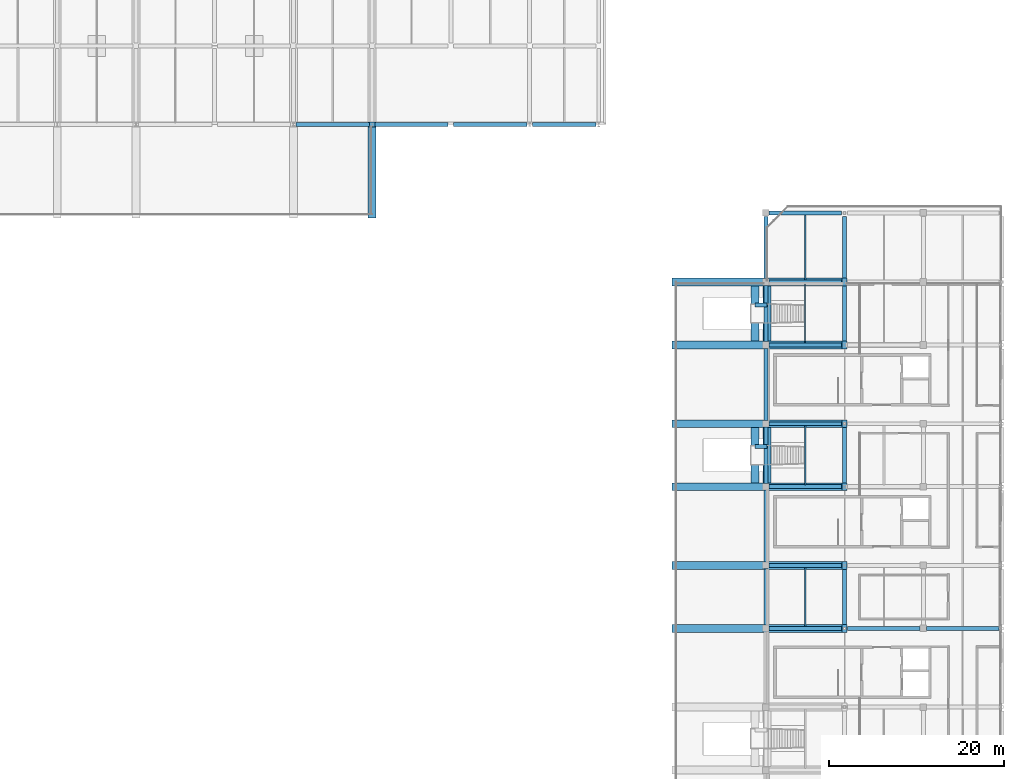
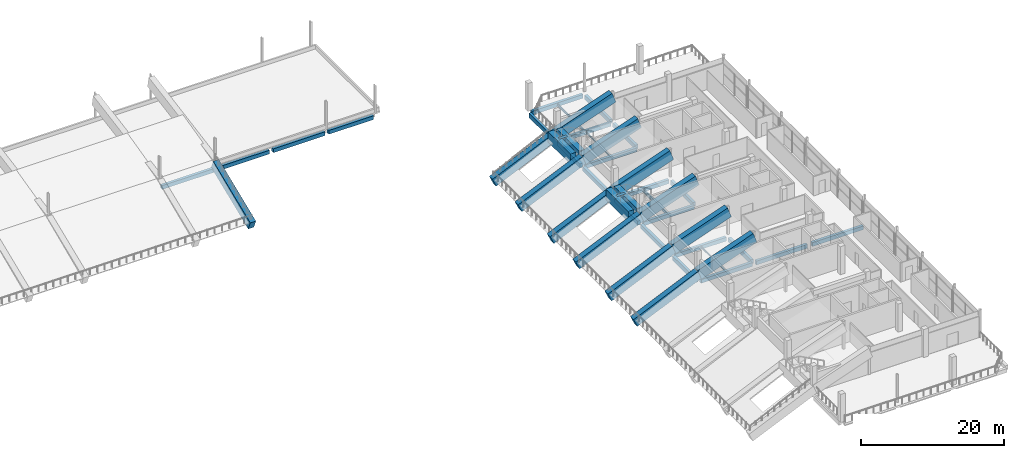
# One storey, part 36 of 66: 46 beams.
"""IFC4 building model written with IfcOpenShell, lengths in metres."""

from ifc_helpers import new_model, si_unit, direction, frame, origin, origin_2d, place, context, subcontext, project, spatial, rectangle, i_section, extrude, material, material_profile, profile_set, type_object, element, save


model = new_model("IFC4")

# Units and contexts
model_context = context("Model", 3, precision=1e-05, world=origin(), true_north=direction((0.0, 1.0)))
body_context = subcontext(model_context, "Body", "Model", "MODEL_VIEW")
ifc_project = project(units=[si_unit("LENGTHUNIT", "METRE"), si_unit("AREAUNIT", "SQUARE_METRE"), si_unit("VOLUMEUNIT", "CUBIC_METRE"), si_unit("PLANEANGLEUNIT", "RADIAN"), si_unit("MASSUNIT", "GRAM", prefix="KILO"), si_unit("THERMODYNAMICTEMPERATUREUNIT", "KELVIN"), si_unit("POWERUNIT", "WATT")], contexts=[model_context])

# Site, building, storey
site_placement = place(None, origin())
site = spatial("IfcSite", under=ifc_project, at=site_placement, CompositionType="ELEMENT")
building_placement = place(site_placement, origin())
building = spatial("IfcBuilding", under=site, at=building_placement, Name="Sindhuravela Promenade Stadium", CompositionType="ELEMENT")
storey_placement = place(building_placement, frame((0.0, 0.0, 19.199951171875)))
storey = spatial("IfcBuildingStorey", under=building, at=storey_placement, Name="L04", CompositionType="ELEMENT", Elevation=19.199951171875)

# Beams
ifc_material_1 = material(Name="Concrete M40", Category="concrete")
ifc_material_profile_1 = material_profile(ifc_material_1, rectangle(XDim=0.449951171875, YDim=0.64990234375, at=origin_2d()), Name="RC 450x650")
ifc_profile_set_1 = profile_set([ifc_material_profile_1], Name="Concrete M40")
beam_type_1 = type_object("IfcBeamType", Name="RC-BM-450x650", PredefinedType="T_BEAM", material=ifc_profile_set_1)
for number, where, z_axis, x_axis, name in (
    (1, (180.389892578125, 77.39990234375, -0.64501953125), (1.0, 0.0, 0.0), (0.0, 1.0, 0.0), "Primary girder GB08 EAST L04"),
    (2, (189.340087890625, 77.39990234375, -0.64501953125), (1.0, 0.0, 0.0), (0.0, 1.0, 0.0), "Primary girder GB08 EAST L04"),
    (3, (198.389892578125, 77.39990234375, -0.64501953125), (1.0, 0.0, 0.0), (0.0, 1.0, 0.0), "Primary girder GB08 EAST L04"),
    (4, (180.389892578125, 84.60009765625, -0.64501953125), (1.0, 0.0, 0.0), (0.0, 1.0, 0.0), "Primary girder GB08 EAST L04"),
    (5, (180.389892578125, 93.60009765625, -0.64501953125), (1.0, 0.0, 0.0), (0.0, 1.0, 0.0), "Primary girder GB08 EAST L04"),
    (6, (180.389892578125, 100.800048828125, -0.64501953125), (1.0, 0.0, 0.0), (0.0, 1.0, 0.0), "Primary girder GB08 EAST L04"),
    (7, (180.389892578125, 109.800048828125, -0.64501953125), (1.0, 0.0, 0.0), (0.0, 1.0, 0.0), "Primary girder GB08 EAST L04"),
    (8, (180.389892578125, 117.0, -0.64501953125), (1.0, 0.0, 0.0), (0.0, 1.0, 0.0), "Primary girder GB08 EAST L04"),
    (9, (180.389892578125, 124.89990234375, -0.64501953125), (1.0, 0.0, 0.0), (0.0, 1.0, 0.0), "Primary girder GB08 EAST L04"),
):
    element("IfcBeam", number, at=place(storey_placement, frame(where, z_axis=z_axis, x_axis=x_axis)), inside=storey, type_object=beam_type_1, Name=name, PredefinedType="T_BEAM", context=body_context, shape_type="SweptSolid", body=[
        extrude(rectangle(XDim=0.449951171875, YDim=0.64990234375, at=origin_2d()), origin(), (0.0, 0.0, 1.0), 8.27001953125),
    ])
for number, where, z_axis, x_axis, name in (
    (10, (126.31494140625, 135.0, -0.570068359375), (1.0, 0.0, 0.0), (0.0, 1.0, 0.0), "Primary girder GB08 NORTH L04"),
    (11, (135.31494140625, 135.0, -0.570068359375), (1.0, 0.0, 0.0), (0.0, 1.0, 0.0), "Primary girder GB08 NORTH L04"),
    (12, (144.31494140625, 135.0, -0.570068359375), (1.0, 0.0, 0.0), (0.0, 1.0, 0.0), "Primary girder GB08 NORTH L04"),
):
    element("IfcBeam", number, at=place(storey_placement, frame(where, z_axis=z_axis, x_axis=x_axis)), inside=storey, type_object=beam_type_1, Name=name, PredefinedType="T_BEAM", context=body_context, shape_type="SweptSolid", body=[
        extrude(rectangle(XDim=0.449951171875, YDim=0.64990234375, at=origin_2d()), origin(), (0.0, 0.0, 1.0), 8.3701171875),
    ])
beam_1_placement = place(storey_placement, frame((153.31494140625, 135.0, -0.570068359375), z_axis=(1.0, 0.0, 0.0), x_axis=(0.0, 1.0, 0.0)))
element("IfcBeam", 13, at=beam_1_placement, inside=storey, type_object=beam_type_1, Name="Primary girder GB08 NORTH L04", PredefinedType="T_BEAM", context=body_context, shape_type="SweptSolid", body=[
    extrude(rectangle(XDim=0.449951171875, YDim=0.64990234375, at=origin_2d()), origin(), (0.0, 0.0, 1.0), 7.27001953125),
])
ifc_material_profile_2 = material_profile(ifc_material_1, rectangle(XDim=0.449951171875, YDim=0.699951171875, at=origin_2d()), Name="RC 450x700")
ifc_profile_set_2 = profile_set([ifc_material_profile_2], Name="Concrete M40")
beam_type_2 = type_object("IfcBeamType", Name="RC-BM-450x700", PredefinedType="BEAM", material=ifc_profile_set_2)
beam_2_placement = place(storey_placement, frame((180.0, 77.7900390625, -0.669921875), z_axis=(0.0, 1.0, 0.0), x_axis=(-1.0, 0.0, 0.0)))
element("IfcBeam", 14, at=beam_2_placement, inside=storey, type_object=beam_type_2, Name="Primary beam GB07 EAST L04", PredefinedType="BEAM", context=body_context, shape_type="SweptSolid", body=[
    extrude(rectangle(XDim=0.449951171875, YDim=0.699951171875, at=origin_2d()), origin(), (0.0, 0.0, 1.0), 6.419921875),
])
beam_3_placement = place(storey_placement, frame((180.0, 84.989990234375, -0.669921875), z_axis=(0.0, 1.0, 0.0), x_axis=(-1.0, 0.0, 0.0)))
element("IfcBeam", 15, at=beam_3_placement, inside=storey, type_object=beam_type_2, Name="Primary beam GB07 EAST L04", PredefinedType="BEAM", context=body_context, shape_type="SweptSolid", body=[
    extrude(rectangle(XDim=0.449951171875, YDim=0.699951171875, at=origin_2d()), origin(), (0.0, 0.0, 1.0), 8.219970703125),
])
beam_4_placement = place(storey_placement, frame((180.0, 93.989990234375, -0.669921875), z_axis=(0.0, 1.0, 0.0), x_axis=(-1.0, 0.0, 0.0)))
element("IfcBeam", 16, at=beam_4_placement, inside=storey, type_object=beam_type_2, Name="Primary beam GB07 EAST L04", PredefinedType="BEAM", context=body_context, shape_type="SweptSolid", body=[
    extrude(rectangle(XDim=0.449951171875, YDim=0.699951171875, at=origin_2d()), origin(), (0.0, 0.0, 1.0), 6.419921875),
])
beam_5_placement = place(storey_placement, frame((180.0, 101.18994140625, -0.669921875), z_axis=(0.0, 1.0, 0.0), x_axis=(-1.0, 0.0, 0.0)))
element("IfcBeam", 17, at=beam_5_placement, inside=storey, type_object=beam_type_2, Name="Primary beam GB07 EAST L04", PredefinedType="BEAM", context=body_context, shape_type="SweptSolid", body=[
    extrude(rectangle(XDim=0.449951171875, YDim=0.699951171875, at=origin_2d()), origin(), (0.0, 0.0, 1.0), 8.219970703125),
])
beam_6_placement = place(storey_placement, frame((180.0, 110.18994140625, -0.669921875), z_axis=(0.0, 1.0, 0.0), x_axis=(-1.0, 0.0, 0.0)))
element("IfcBeam", 18, at=beam_6_placement, inside=storey, type_object=beam_type_2, Name="Primary beam GB07 EAST L04", PredefinedType="BEAM", context=body_context, shape_type="SweptSolid", body=[
    extrude(rectangle(XDim=0.449951171875, YDim=0.699951171875, at=origin_2d()), origin(), (0.0, 0.0, 1.0), 6.420166015625),
])
beam_7_placement = place(storey_placement, frame((180.0, 117.389892578125, -0.669921875), z_axis=(0.0, 1.0, 0.0), x_axis=(-1.0, 0.0, 0.0)))
element("IfcBeam", 19, at=beam_7_placement, inside=storey, type_object=beam_type_2, Name="Primary beam GB07 EAST L04", PredefinedType="BEAM", context=body_context, shape_type="SweptSolid", body=[
    extrude(rectangle(XDim=0.449951171875, YDim=0.699951171875, at=origin_2d()), origin(), (0.0, 0.0, 1.0), 7.1201171875),
])
beam_8_placement = place(storey_placement, frame((189.0, 77.840087890625, -0.669921875), z_axis=(0.0, 1.0, 0.0), x_axis=(-1.0, 0.0, 0.0)))
element("IfcBeam", 20, at=beam_8_placement, inside=storey, type_object=beam_type_2, Name="Primary beam GB07 EAST L04", PredefinedType="BEAM", context=body_context, shape_type="SweptSolid", body=[
    extrude(rectangle(XDim=0.449951171875, YDim=0.699951171875, at=origin_2d()), origin(), (0.0, 0.0, 1.0), 6.31982421875),
])
for number, where, z_axis, x_axis, name in (
    (21, (189.0, 94.0400390625, -0.669921875), (0.0, 1.0, 0.0), (-1.0, 0.0, 0.0), "Primary beam GB07 EAST L04"),
    (22, (189.0, 110.239990234375, -0.669921875), (0.0, 1.0, 0.0), (-1.0, 0.0, 0.0), "Primary beam GB07 EAST L04"),
):
    element("IfcBeam", number, at=place(storey_placement, frame(where, z_axis=z_axis, x_axis=x_axis)), inside=storey, type_object=beam_type_2, Name=name, PredefinedType="BEAM", context=body_context, shape_type="SweptSolid", body=[
        extrude(rectangle(XDim=0.449951171875, YDim=0.699951171875, at=origin_2d()), origin(), (0.0, 0.0, 1.0), 6.320068359375),
    ])
beam_9_placement = place(storey_placement, frame((189.0, 117.43994140625, -0.669921875), z_axis=(0.0, 1.0, 0.0), x_axis=(-1.0, 0.0, 0.0)))
element("IfcBeam", 23, at=beam_9_placement, inside=storey, type_object=beam_type_2, Name="Primary beam GB07 EAST L04", PredefinedType="BEAM", context=body_context, shape_type="SweptSolid", body=[
    extrude(rectangle(XDim=0.449951171875, YDim=0.699951171875, at=origin_2d()), origin(), (0.0, 0.0, 1.0), 7.02001953125),
])
for number, where, z_axis, x_axis, name in (
    (24, (180.1201171875, 98.179931640625, 1.505126953125), (-1.0, 0.0, 0.0), (0.0, -1.0, 0.0), "Vomitory VS16 landing edge stringer"),
    (25, (180.1201171875, 114.3798828125, 1.505126953125), (-1.0, 0.0, 0.0), (0.0, -1.0, 0.0), "Vomitory CS04 landing edge stringer"),
):
    element("IfcBeam", number, at=place(storey_placement, frame(where, z_axis=z_axis, x_axis=x_axis)), inside=storey, type_object=beam_type_2, Name=name, PredefinedType="BEAM", context=body_context, shape_type="SweptSolid", body=[
        extrude(rectangle(XDim=0.449951171875, YDim=0.699951171875, at=origin_2d()), origin(), (0.0, 0.0, 1.0), 1.35009765625),
    ])
ifc_material_2 = material(Name="Concrete M50", Category="concrete")
ifc_material_profile_3 = material_profile(ifc_material_2, rectangle(XDim=0.89990234375, YDim=1.5, at=origin_2d()), Name="RC 900x1500")
ifc_profile_set_3 = profile_set([ifc_material_profile_3], Name="Concrete M50")
beam_type_3 = type_object("IfcBeamType", Name="RC-RK-900x1500", PredefinedType="USERDEFINED", material=ifc_profile_set_3)
for number, where, z_axis, x_axis, name in (
    (26, (180.0, 77.39990234375, 0.75), (-0.9145386978691881, 0.0, -0.40449841791993457), (0.0, -1.0, 0.0), "Upper cantilevered raker RK02 East 60"),
    (27, (180.0, 84.60009765625, 0.75), (-0.9145386978691881, 0.0, -0.40449841791993457), (0.0, -1.0, 0.0), "Upper cantilevered raker RK02 East 62"),
    (28, (180.0, 93.60009765625, 0.75), (-0.9145386978691881, 0.0, -0.40449841791993457), (0.0, -1.0, 0.0), "Upper cantilevered raker RK02 East 64"),
    (29, (180.0, 100.800048828125, 0.75), (-0.9145386978691881, 0.0, -0.40449841791993457), (0.0, -1.0, 0.0), "Upper cantilevered raker RK02 East 66"),
    (30, (180.0, 109.800048828125, 0.75), (-0.9145386978691881, 0.0, -0.40449841791993457), (0.0, -1.0, 0.0), "Upper cantilevered raker RK02 East 68"),
    (31, (180.0, 117.0, 0.75), (-0.9145386978691881, 0.0, -0.40449841791993457), (0.0, -1.0, 0.0), "Upper cantilevered raker RK02 East 70"),
):
    element("IfcBeam", number, at=place(storey_placement, frame(where, z_axis=z_axis, x_axis=x_axis)), inside=storey, type_object=beam_type_3, Name=name, ObjectType="RAKER", PredefinedType="USERDEFINED", context=body_context, shape_type="SweptSolid", body=[
        extrude(rectangle(XDim=0.89990234375, YDim=1.5, at=origin_2d()), origin(), (0.0, 0.0, 1.0), 11.371826171875),
    ])
beam_10_placement = place(storey_placement, frame((135.0, 135.0, 0.400146484375), z_axis=(0.0, -0.9256874309297272, -0.3782892811311491), x_axis=(1.0, 0.0, 0.0)))
element("IfcBeam", 32, at=beam_10_placement, inside=storey, type_object=beam_type_3, Name="Upper cantilevered raker RK02 North 82", ObjectType="RAKER", PredefinedType="USERDEFINED", context=body_context, shape_type="SweptSolid", body=[
    extrude(rectangle(XDim=0.89990234375, YDim=1.5, at=origin_2d()), origin(), (0.0, 0.0, 1.0), 11.23486328125),
])
ifc_material_profile_4 = material_profile(ifc_material_2, rectangle(XDim=0.89990234375, YDim=1.800048828125, at=origin_2d()), Name="RC 900x1800")
ifc_profile_set_4 = profile_set([ifc_material_profile_4], Name="Concrete M50")
beam_type_4 = type_object("IfcBeamType", Name="RC-RK-900x1800", PredefinedType="USERDEFINED", material=ifc_profile_set_4)
for number, where, z_axis, x_axis, name in (
    (33, (189.0, 77.39990234375, 3.949951171875), (-0.9422163038291221, 0.0, -0.3350051295108589), (0.0, -1.0, 0.0), "Upper raker back-span RK01 East 60"),
    (34, (189.0, 84.60009765625, 3.949951171875), (-0.9422163038291221, 0.0, -0.3350051295108589), (0.0, -1.0, 0.0), "Upper raker back-span RK01 East 62"),
    (35, (189.0, 93.60009765625, 3.949951171875), (-0.9422163038291221, 0.0, -0.3350051295108589), (0.0, -1.0, 0.0), "Upper raker back-span RK01 East 64"),
    (36, (189.0, 100.800048828125, 3.949951171875), (-0.9422163038291221, 0.0, -0.3350051295108589), (0.0, -1.0, 0.0), "Upper raker back-span RK01 East 66"),
    (37, (189.0, 109.800048828125, 3.949951171875), (-0.9422163038291221, 0.0, -0.3350051295108589), (0.0, -1.0, 0.0), "Upper raker back-span RK01 East 68"),
    (38, (189.0, 117.0, 3.949951171875), (-0.9422163038291221, 0.0, -0.3350051295108589), (0.0, -1.0, 0.0), "Upper raker back-span RK01 East 70"),
):
    element("IfcBeam", number, at=place(storey_placement, frame(where, z_axis=z_axis, x_axis=x_axis)), inside=storey, type_object=beam_type_4, Name=name, ObjectType="RAKER", PredefinedType="USERDEFINED", context=body_context, shape_type="SweptSolid", body=[
        extrude(rectangle(XDim=0.89990234375, YDim=1.800048828125, at=origin_2d()), origin(), (0.0, 0.0, 1.0), 9.552001953125),
    ])
for number, where, z_axis, x_axis, name in (
    (39, (180.1201171875, 94.0400390625, 0.955078125), (0.0, 1.0, 0.0), (-1.0, 0.0, 0.0), "Vomitory VS16 landing trimmer beam 1"),
    (40, (178.77001953125, 94.0400390625, 0.955078125), (0.0, 1.0, 0.0), (-1.0, 0.0, 0.0), "Vomitory VS16 landing trimmer beam 2"),
    (41, (180.1201171875, 110.239990234375, 0.955078125), (0.0, 1.0, 0.0), (-1.0, 0.0, 0.0), "Vomitory CS04 landing trimmer beam 1"),
    (42, (178.77001953125, 110.239990234375, 0.955078125), (0.0, 1.0, 0.0), (-1.0, 0.0, 0.0), "Vomitory CS04 landing trimmer beam 2"),
):
    element("IfcBeam", number, at=place(storey_placement, frame(where, z_axis=z_axis, x_axis=x_axis)), inside=storey, type_object=beam_type_4, Name=name, ObjectType="RAKER", PredefinedType="USERDEFINED", context=body_context, shape_type="SweptSolid", body=[
        extrude(rectangle(XDim=0.89990234375, YDim=1.800048828125, at=origin_2d()), origin(), (0.0, 0.0, 1.0), 6.320068359375),
    ])
ifc_material_3 = material(Name="Steel E350 (IS 2062 E350BR)", Category="steel")
ifc_material_profile_5 = material_profile(ifc_material_3, i_section(OverallWidth=0.125, OverallDepth=0.25, WebThickness=0.0068359375, FlangeThickness=0.012451171875, FilletRadius=0.012939453125, at=origin_2d()), Name="ISMB 250")
ifc_profile_set_5 = profile_set([ifc_material_profile_5], Name="Steel E350 (IS 2062 E350BR)")
beam_type_5 = type_object("IfcBeamType", Name="ST-BM-MB250", PredefinedType="JOIST", material=ifc_profile_set_5)
beam_11_placement = place(storey_placement, frame((184.5, 110.014892578125, -0.445068359375), z_axis=(0.0, 1.0, 0.0), x_axis=(-1.0, 0.0, 0.0)))
element("IfcBeam", 43, at=beam_11_placement, inside=storey, type_object=beam_type_5, Name="Secondary floor joist SB02 EAST L04", PredefinedType="JOIST", context=body_context, shape_type="SweptSolid", body=[
    extrude(i_section(OverallWidth=0.125, OverallDepth=0.25, WebThickness=0.0068359375, FlangeThickness=0.012451171875, FilletRadius=0.012939453125, at=origin_2d()), origin(), (0.0, 0.0, 1.0), 6.77001953125),
])
ifc_material_profile_6 = material_profile(ifc_material_3, i_section(OverallWidth=0.139892578125, OverallDepth=0.300048828125, WebThickness=0.0078125, FlangeThickness=0.01318359375, FilletRadius=0.013916015625, at=origin_2d()), Name="ISMB 300")
ifc_profile_set_6 = profile_set([ifc_material_profile_6], Name="Steel E350 (IS 2062 E350BR)")
beam_type_6 = type_object("IfcBeamType", Name="ST-BM-MB300", PredefinedType="JOIST", material=ifc_profile_set_6)
beam_12_placement = place(storey_placement, frame((184.5, 77.614990234375, -0.469970703125), z_axis=(0.0, 1.0, 0.0), x_axis=(-1.0, 0.0, 0.0)))
element("IfcBeam", 44, at=beam_12_placement, inside=storey, type_object=beam_type_6, Name="Secondary floor joist SB03 EAST L04", PredefinedType="JOIST", context=body_context, shape_type="SweptSolid", body=[
    extrude(i_section(OverallWidth=0.139892578125, OverallDepth=0.300048828125, WebThickness=0.0078125, FlangeThickness=0.01318359375, FilletRadius=0.013916015625, at=origin_2d()), origin(), (0.0, 0.0, 1.0), 6.77001953125),
])
ifc_material_profile_7 = material_profile(ifc_material_3, i_section(OverallWidth=0.139892578125, OverallDepth=0.39990234375, WebThickness=0.0087890625, FlangeThickness=0.01611328125, FilletRadius=0.013916015625, at=origin_2d()), Name="ISMB 400")
ifc_profile_set_7 = profile_set([ifc_material_profile_7], Name="Steel E350 (IS 2062 E350BR)")
beam_type_7 = type_object("IfcBeamType", Name="ST-BM-MB400", PredefinedType="BEAM", material=ifc_profile_set_7)
beam_13_placement = place(storey_placement, frame((184.5, 117.215087890625, -0.52001953125), z_axis=(0.0, 1.0, 0.0), x_axis=(-1.0, 0.0, 0.0)))
element("IfcBeam", 45, at=beam_13_placement, inside=storey, type_object=beam_type_7, Name="Secondary floor joist SB05 EAST L04", PredefinedType="BEAM", context=body_context, shape_type="SweptSolid", body=[
    extrude(i_section(OverallWidth=0.139892578125, OverallDepth=0.39990234375, WebThickness=0.0087890625, FlangeThickness=0.01611328125, FilletRadius=0.013916015625, at=origin_2d()), origin(), (0.0, 0.0, 1.0), 7.469970703125),
])
ifc_material_profile_8 = material_profile(ifc_material_3, i_section(OverallWidth=0.18994140625, OverallDepth=0.550048828125, WebThickness=0.01123046875, FlangeThickness=0.019287109375, FilletRadius=0.01806640625, at=origin_2d()), Name="ISMB 550")
ifc_profile_set_8 = profile_set([ifc_material_profile_8], Name="Steel E350 (IS 2062 E350BR)")
beam_type_8 = type_object("IfcBeamType", Name="ST-BM-MB550", PredefinedType="SPANDREL", material=ifc_profile_set_8)
beam_14_placement = place(storey_placement, frame((184.5, 93.81494140625, -0.594970703125), z_axis=(0.0, 1.0, 0.0), x_axis=(-1.0, 0.0, 0.0)))
element("IfcBeam", 46, at=beam_14_placement, inside=storey, type_object=beam_type_8, Name="Secondary floor joist SB08 EAST L04", PredefinedType="SPANDREL", context=body_context, shape_type="SweptSolid", body=[
    extrude(i_section(OverallWidth=0.18994140625, OverallDepth=0.550048828125, WebThickness=0.01123046875, FlangeThickness=0.019287109375, FilletRadius=0.01806640625, at=origin_2d()), origin(), (0.0, 0.0, 1.0), 6.77001953125),
])

save(model, "model.ifc")
